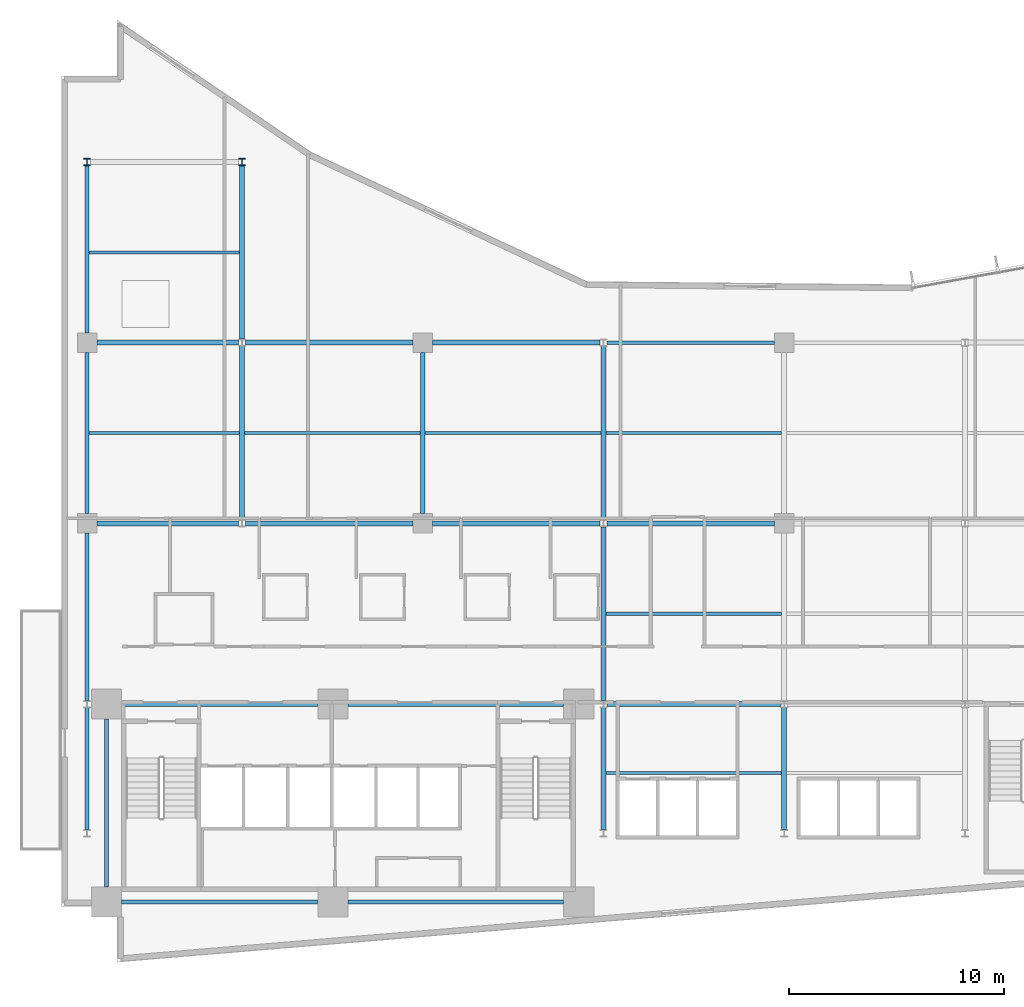
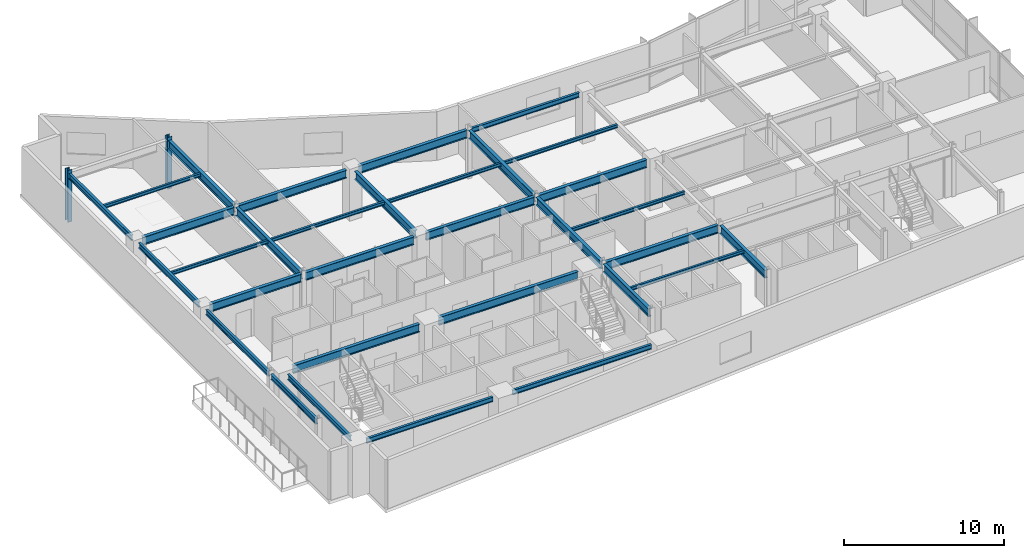
# One storey, part 3 of 21: 32 beams, 2 columns.
"""IFC4 building model written with IfcOpenShell, lengths in metres."""

from ifc_helpers import new_model, si_unit, direction, frame, origin, origin_2d, place, context, subcontext, project, spatial, i_section, extrude, material, material_profile, profile_set, type_object, element, save


model = new_model("IFC4")

# Units and contexts
model_context = context("Model", 3, precision=1e-05, world=origin(), true_north=direction((0.0, 1.0)))
body_context = subcontext(model_context, "Body", "Model", "MODEL_VIEW")
ifc_project = project(units=[si_unit("LENGTHUNIT", "METRE"), si_unit("AREAUNIT", "SQUARE_METRE"), si_unit("VOLUMEUNIT", "CUBIC_METRE"), si_unit("PLANEANGLEUNIT", "RADIAN"), si_unit("MASSUNIT", "GRAM", prefix="KILO")], contexts=[model_context])

# Site, building, storey
site_placement = place(None, origin())
site = spatial("IfcSite", under=ifc_project, at=site_placement, CompositionType="ELEMENT")
building_placement = place(site_placement, origin())
building = spatial("IfcBuilding", under=site, at=building_placement, Name="Varnakote Quay Hospital", CompositionType="ELEMENT")
storey_placement = place(building_placement, frame((0.0, 0.0, 77.800048828125)))
storey = spatial("IfcBuildingStorey", under=building, at=storey_placement, Name="L19", CompositionType="ELEMENT", Elevation=77.800048828125)

# Columns
ifc_material_1 = material(Name="Structural steel AS/NZS 3679.1 Grade 350 L0 (fy 340 MPa)", Category="steel")
ifc_material_profile_1 = material_profile(ifc_material_1, i_section(OverallWidth=0.31103515625, OverallDepth=0.326904296875, WebThickness=0.015625, FlangeThickness=0.02490234375, FilletRadius=0.0166015625, at=origin_2d()), Name="310UC158")
ifc_profile_set_1 = profile_set([ifc_material_profile_1], Name="Structural steel AS/NZS 3679.1 Grade 350 L0 (fy 340 MPa)")
column_type = type_object("IfcColumnType", Name="COL-STL-310UC158", PredefinedType="COLUMN", material=ifc_profile_set_1)
for number, where, z_axis, x_axis, name in (
    (1, (1.199951171875, 37.199951171875, 0.0), (0.0, 0.0, 1.0), (1.0, 0.0, 0.0), "L19 Structural Column C-1-37"),
    (2, (8.39990234375, 37.199951171875, 0.0), (0.0, 0.0, 1.0), (1.0, 0.0, 0.0), "L19 Structural Column C-8-37"),
):
    element("IfcColumn", number, at=place(storey_placement, frame(where, z_axis=z_axis, x_axis=x_axis)), inside=storey, type_object=column_type, Name=name, PredefinedType="COLUMN", context=body_context, shape_type="SweptSolid", body=[
        extrude(i_section(OverallWidth=0.31103515625, OverallDepth=0.326904296875, WebThickness=0.015625, FlangeThickness=0.02490234375, FilletRadius=0.0166015625, at=origin_2d()), origin(), (0.0, 0.0, 1.0), 3.949951171875),
    ])

# Beams
ifc_material_2 = material(Name="Structural steel AS/NZS 3679.1 Grade 350 L0 (fy 340 MPa)", Category="steel")
ifc_material_profile_2 = material_profile(ifc_material_2, i_section(OverallWidth=0.22900390625, OverallDepth=0.612060546875, WebThickness=0.011962890625, FlangeThickness=0.01953125, FilletRadius=0.013916015625, at=origin_2d()), Name="610UB125")
ifc_profile_set_2 = profile_set([ifc_material_profile_2], Name="Structural steel AS/NZS 3679.1 Grade 350 L0 (fy 340 MPa)")
beam_type_1 = type_object("IfcBeamType", Name="BM-STL-610UB125", PredefinedType="BEAM", material=ifc_profile_set_2)
beam_1_placement = place(storey_placement, frame((2.800048828125, 12.0, 3.404052734375), z_axis=(1.0, 0.0, 0.0), x_axis=(0.0, 1.0, 0.0)))
element("IfcBeam", 3, at=beam_1_placement, inside=storey, type_object=beam_type_1, Name="L19 Primary Floor Beam", PredefinedType="BEAM", context=body_context, shape_type="SweptSolid", body=[
    extrude(i_section(OverallWidth=0.22900390625, OverallDepth=0.612060546875, WebThickness=0.011962890625, FlangeThickness=0.01953125, FilletRadius=0.013916015625, at=origin_2d()), origin(), (0.0, 0.0, 1.0), 9.119873046875),
])
beam_2_placement = place(storey_placement, frame((13.320068359375, 12.0, 3.404052734375), z_axis=(1.0, 0.0, 0.0), x_axis=(0.0, 1.0, 0.0)))
element("IfcBeam", 4, at=beam_2_placement, inside=storey, type_object=beam_type_1, Name="L19 Primary Floor Beam", PredefinedType="BEAM", context=body_context, shape_type="SweptSolid", body=[
    extrude(i_section(OverallWidth=0.22900390625, OverallDepth=0.612060546875, WebThickness=0.011962890625, FlangeThickness=0.01953125, FilletRadius=0.013916015625, at=origin_2d()), origin(), (0.0, 0.0, 1.0), 10.030029296875),
])
beam_3_placement = place(storey_placement, frame((25.35546875, 12.0, 3.404052734375), z_axis=(1.0, 0.0, 0.0), x_axis=(0.0, 1.0, 0.0)))
element("IfcBeam", 5, at=beam_3_placement, inside=storey, type_object=beam_type_1, Name="L19 Primary Floor Beam", PredefinedType="BEAM", context=body_context, shape_type="SweptSolid", body=[
    extrude(i_section(OverallWidth=0.22900390625, OverallDepth=0.612060546875, WebThickness=0.011962890625, FlangeThickness=0.01953125, FilletRadius=0.013916015625, at=origin_2d()), origin(), (0.0, 0.0, 1.0), 8.089111328125),
])
beam_4_placement = place(storey_placement, frame((1.64990234375, 20.39990234375, 3.404052734375), z_axis=(1.0, 0.0, 0.0), x_axis=(0.0, 1.0, 0.0)))
element("IfcBeam", 6, at=beam_4_placement, inside=storey, type_object=beam_type_1, Name="L19 Primary Floor Beam", PredefinedType="BEAM", context=body_context, shape_type="SweptSolid", body=[
    extrude(i_section(OverallWidth=0.22900390625, OverallDepth=0.612060546875, WebThickness=0.011962890625, FlangeThickness=0.01953125, FilletRadius=0.013916015625, at=origin_2d()), origin(), (0.0, 0.0, 1.0), 6.594482421875),
])
beam_5_placement = place(storey_placement, frame((8.555419921875, 20.39990234375, 3.404052734375), z_axis=(1.0, 0.0, 0.0), x_axis=(0.0, 1.0, 0.0)))
element("IfcBeam", 7, at=beam_5_placement, inside=storey, type_object=beam_type_1, Name="L19 Primary Floor Beam", PredefinedType="BEAM", context=body_context, shape_type="SweptSolid", body=[
    extrude(i_section(OverallWidth=0.22900390625, OverallDepth=0.612060546875, WebThickness=0.011962890625, FlangeThickness=0.01953125, FilletRadius=0.013916015625, at=origin_2d()), origin(), (0.0, 0.0, 1.0), 7.794677734375),
])
for number, where, z_axis, x_axis, name in (
    (8, (17.25, 20.39990234375, 3.404052734375), (1.0, 0.0, 0.0), (0.0, 1.0, 0.0), "L19 Primary Floor Beam"),
    (9, (25.35546875, 20.39990234375, 3.404052734375), (1.0, 0.0, 0.0), (0.0, 1.0, 0.0), "L19 Primary Floor Beam"),
):
    element("IfcBeam", number, at=place(storey_placement, frame(where, z_axis=z_axis, x_axis=x_axis)), inside=storey, type_object=beam_type_1, Name=name, PredefinedType="BEAM", context=body_context, shape_type="SweptSolid", body=[
        extrude(i_section(OverallWidth=0.22900390625, OverallDepth=0.612060546875, WebThickness=0.011962890625, FlangeThickness=0.01953125, FilletRadius=0.013916015625, at=origin_2d()), origin(), (0.0, 0.0, 1.0), 7.79443359375),
    ])
beam_6_placement = place(storey_placement, frame((1.64990234375, 28.800048828125, 3.404052734375), z_axis=(1.0, 0.0, 0.0), x_axis=(0.0, 1.0, 0.0)))
element("IfcBeam", 10, at=beam_6_placement, inside=storey, type_object=beam_type_1, Name="L19 Primary Floor Beam", PredefinedType="BEAM", context=body_context, shape_type="SweptSolid", body=[
    extrude(i_section(OverallWidth=0.22900390625, OverallDepth=0.612060546875, WebThickness=0.011962890625, FlangeThickness=0.01953125, FilletRadius=0.013916015625, at=origin_2d()), origin(), (0.0, 0.0, 1.0), 6.594482421875),
])
beam_7_placement = place(storey_placement, frame((8.555419921875, 28.800048828125, 3.404052734375), z_axis=(1.0, 0.0, 0.0), x_axis=(0.0, 1.0, 0.0)))
element("IfcBeam", 11, at=beam_7_placement, inside=storey, type_object=beam_type_1, Name="L19 Primary Floor Beam", PredefinedType="BEAM", context=body_context, shape_type="SweptSolid", body=[
    extrude(i_section(OverallWidth=0.22900390625, OverallDepth=0.612060546875, WebThickness=0.011962890625, FlangeThickness=0.01953125, FilletRadius=0.013916015625, at=origin_2d()), origin(), (0.0, 0.0, 1.0), 7.794677734375),
])
beam_8_placement = place(storey_placement, frame((17.25, 28.800048828125, 3.404052734375), z_axis=(1.0, 0.0, 0.0), x_axis=(0.0, 1.0, 0.0)))
element("IfcBeam", 12, at=beam_8_placement, inside=storey, type_object=beam_type_1, Name="L19 Primary Floor Beam", PredefinedType="BEAM", context=body_context, shape_type="SweptSolid", body=[
    extrude(i_section(OverallWidth=0.22900390625, OverallDepth=0.612060546875, WebThickness=0.011962890625, FlangeThickness=0.01953125, FilletRadius=0.013916015625, at=origin_2d()), origin(), (0.0, 0.0, 1.0), 7.79443359375),
])
beam_9_placement = place(storey_placement, frame((8.39990234375, 20.5634765625, 3.404052734375), z_axis=(0.0, 1.0, 0.0), x_axis=(-1.0, 0.0, 0.0)))
element("IfcBeam", 13, at=beam_9_placement, inside=storey, type_object=beam_type_1, Name="L19 Primary Tie Beam", PredefinedType="BEAM", context=body_context, shape_type="SweptSolid", body=[
    extrude(i_section(OverallWidth=0.22900390625, OverallDepth=0.612060546875, WebThickness=0.011962890625, FlangeThickness=0.01953125, FilletRadius=0.013916015625, at=origin_2d()), origin(), (0.0, 0.0, 1.0), 8.072998046875),
])
beam_10_placement = place(storey_placement, frame((8.39990234375, 28.96337890625, 3.404052734375), z_axis=(0.0, 1.0, 0.0), x_axis=(-1.0, 0.0, 0.0)))
element("IfcBeam", 14, at=beam_10_placement, inside=storey, type_object=beam_type_1, Name="L19 Primary Tie Beam", PredefinedType="BEAM", context=body_context, shape_type="SweptSolid", body=[
    extrude(i_section(OverallWidth=0.22900390625, OverallDepth=0.612060546875, WebThickness=0.011962890625, FlangeThickness=0.01953125, FilletRadius=0.013916015625, at=origin_2d()), origin(), (0.0, 0.0, 1.0), 8.0732421875),
])
beam_11_placement = place(storey_placement, frame((16.800048828125, 20.85009765625, 3.404052734375), z_axis=(0.0, 1.0, 0.0), x_axis=(-1.0, 0.0, 0.0)))
element("IfcBeam", 15, at=beam_11_placement, inside=storey, type_object=beam_type_1, Name="L19 Primary Tie Beam", PredefinedType="BEAM", context=body_context, shape_type="SweptSolid", body=[
    extrude(i_section(OverallWidth=0.22900390625, OverallDepth=0.612060546875, WebThickness=0.011962890625, FlangeThickness=0.01953125, FilletRadius=0.013916015625, at=origin_2d()), origin(), (0.0, 0.0, 1.0), 7.5),
])
beam_12_placement = place(storey_placement, frame((25.199951171875, 6.16357421875, 3.404052734375), z_axis=(0.0, 1.0, 0.0), x_axis=(-1.0, 0.0, 0.0)))
element("IfcBeam", 16, at=beam_12_placement, inside=storey, type_object=beam_type_1, Name="L19 Primary Tie Beam", PredefinedType="BEAM", context=body_context, shape_type="SweptSolid", body=[
    extrude(i_section(OverallWidth=0.22900390625, OverallDepth=0.612060546875, WebThickness=0.011962890625, FlangeThickness=0.01953125, FilletRadius=0.013916015625, at=origin_2d()), origin(), (0.0, 0.0, 1.0), 5.6728515625),
])
for number, where, z_axis, x_axis, name in (
    (17, (25.199951171875, 12.16357421875, 3.404052734375), (0.0, 1.0, 0.0), (-1.0, 0.0, 0.0), "L19 Primary Tie Beam"),
    (18, (25.199951171875, 20.5634765625, 3.404052734375), (0.0, 1.0, 0.0), (-1.0, 0.0, 0.0), "L19 Primary Tie Beam"),
):
    element("IfcBeam", number, at=place(storey_placement, frame(where, z_axis=z_axis, x_axis=x_axis)), inside=storey, type_object=beam_type_1, Name=name, PredefinedType="BEAM", context=body_context, shape_type="SweptSolid", body=[
        extrude(i_section(OverallWidth=0.22900390625, OverallDepth=0.612060546875, WebThickness=0.011962890625, FlangeThickness=0.01953125, FilletRadius=0.013916015625, at=origin_2d()), origin(), (0.0, 0.0, 1.0), 8.072998046875),
    ])
beam_13_placement = place(storey_placement, frame((33.60009765625, 6.16357421875, 3.404052734375), z_axis=(0.0, 1.0, 0.0), x_axis=(-1.0, 0.0, 0.0)))
element("IfcBeam", 19, at=beam_13_placement, inside=storey, type_object=beam_type_1, Name="L19 Primary Tie Beam", PredefinedType="BEAM", context=body_context, shape_type="SweptSolid", body=[
    extrude(i_section(OverallWidth=0.22900390625, OverallDepth=0.612060546875, WebThickness=0.011962890625, FlangeThickness=0.01953125, FilletRadius=0.013916015625, at=origin_2d()), origin(), (0.0, 0.0, 1.0), 5.6728515625),
])
ifc_material_3 = material(Name="Structural steel AS/NZS 3679.1 Grade 350 L0 (fy 340 MPa)", Category="steel")
ifc_material_profile_3 = material_profile(ifc_material_3, i_section(OverallWidth=0.14599609375, OverallDepth=0.256103515625, WebThickness=0.00634765625, FlangeThickness=0.010986328125, FilletRadius=0.0087890625, at=origin_2d()), Name="250UB37.3")
ifc_profile_set_3 = profile_set([ifc_material_profile_3], Name="Structural steel AS/NZS 3679.1 Grade 350 L0 (fy 340 MPa)")
beam_type_2 = type_object("IfcBeamType", Name="JST-STL-250UB37-3", PredefinedType="JOIST", material=ifc_profile_set_3)
for number, where, z_axis, x_axis, name in (
    (20, (25.314453125, 8.800048828125, 3.58203125), (1.0, 0.0, 0.0), (0.0, 1.0, 0.0), "L19 Composite Floor Joist"),
    (21, (25.314453125, 16.199951171875, 3.58203125), (1.0, 0.0, 0.0), (0.0, 1.0, 0.0), "L19 Composite Floor Joist"),
):
    element("IfcBeam", number, at=place(storey_placement, frame(where, z_axis=z_axis, x_axis=x_axis)), inside=storey, type_object=beam_type_2, Name=name, PredefinedType="JOIST", context=body_context, shape_type="SweptSolid", body=[
        extrude(i_section(OverallWidth=0.14599609375, OverallDepth=0.256103515625, WebThickness=0.00634765625, FlangeThickness=0.010986328125, FilletRadius=0.0087890625, at=origin_2d()), origin(), (0.0, 0.0, 1.0), 8.171142578125),
    ])
beam_14_placement = place(storey_placement, frame((1.2890625, 24.60009765625, 3.58203125), z_axis=(1.0, 0.0, 0.0), x_axis=(0.0, 1.0, 0.0)))
element("IfcBeam", 22, at=beam_14_placement, inside=storey, type_object=beam_type_2, Name="L19 Composite Floor Joist", PredefinedType="JOIST", context=body_context, shape_type="SweptSolid", body=[
    extrude(i_section(OverallWidth=0.14599609375, OverallDepth=0.256103515625, WebThickness=0.00634765625, FlangeThickness=0.010986328125, FilletRadius=0.0087890625, at=origin_2d()), origin(), (0.0, 0.0, 1.0), 6.996337890625),
])
beam_15_placement = place(storey_placement, frame((8.514404296875, 24.60009765625, 3.58203125), z_axis=(1.0, 0.0, 0.0), x_axis=(0.0, 1.0, 0.0)))
element("IfcBeam", 23, at=beam_15_placement, inside=storey, type_object=beam_type_2, Name="L19 Composite Floor Joist", PredefinedType="JOIST", context=body_context, shape_type="SweptSolid", body=[
    extrude(i_section(OverallWidth=0.14599609375, OverallDepth=0.256103515625, WebThickness=0.00634765625, FlangeThickness=0.010986328125, FilletRadius=0.0087890625, at=origin_2d()), origin(), (0.0, 0.0, 1.0), 8.171142578125),
])
beam_16_placement = place(storey_placement, frame((16.91455078125, 24.60009765625, 3.58203125), z_axis=(1.0, 0.0, 0.0), x_axis=(0.0, 1.0, 0.0)))
element("IfcBeam", 24, at=beam_16_placement, inside=storey, type_object=beam_type_2, Name="L19 Composite Floor Joist", PredefinedType="JOIST", context=body_context, shape_type="SweptSolid", body=[
    extrude(i_section(OverallWidth=0.14599609375, OverallDepth=0.256103515625, WebThickness=0.00634765625, FlangeThickness=0.010986328125, FilletRadius=0.0087890625, at=origin_2d()), origin(), (0.0, 0.0, 1.0), 8.1708984375),
])
beam_17_placement = place(storey_placement, frame((25.314453125, 24.60009765625, 3.58203125), z_axis=(1.0, 0.0, 0.0), x_axis=(0.0, 1.0, 0.0)))
element("IfcBeam", 25, at=beam_17_placement, inside=storey, type_object=beam_type_2, Name="L19 Composite Floor Joist", PredefinedType="JOIST", context=body_context, shape_type="SweptSolid", body=[
    extrude(i_section(OverallWidth=0.14599609375, OverallDepth=0.256103515625, WebThickness=0.00634765625, FlangeThickness=0.010986328125, FilletRadius=0.0087890625, at=origin_2d()), origin(), (0.0, 0.0, 1.0), 8.171142578125),
])
beam_18_placement = place(storey_placement, frame((1.2890625, 33.0, 3.58203125), z_axis=(1.0, 0.0, 0.0), x_axis=(0.0, 1.0, 0.0)))
element("IfcBeam", 26, at=beam_18_placement, inside=storey, type_object=beam_type_2, Name="L19 Composite Floor Joist", PredefinedType="JOIST", context=body_context, shape_type="SweptSolid", body=[
    extrude(i_section(OverallWidth=0.14599609375, OverallDepth=0.256103515625, WebThickness=0.00634765625, FlangeThickness=0.010986328125, FilletRadius=0.0087890625, at=origin_2d()), origin(), (0.0, 0.0, 1.0), 6.996337890625),
])
ifc_material_4 = material(Name="Structural steel AS/NZS 3679.1 Grade 350 L0 (fy 340 MPa)", Category="steel")
ifc_material_profile_4 = material_profile(ifc_material_4, i_section(OverallWidth=0.172119140625, OverallDepth=0.35888671875, WebThickness=0.008056640625, FlangeThickness=0.012939453125, FilletRadius=0.011474609375, at=origin_2d()), Name="360UB56.7")
ifc_profile_set_4 = profile_set([ifc_material_profile_4], Name="Structural steel AS/NZS 3679.1 Grade 350 L0 (fy 340 MPa)")
beam_type_3 = type_object("IfcBeamType", Name="SPN-STL-360UB56-7", PredefinedType="SPANDREL", material=ifc_profile_set_4)
beam_19_placement = place(storey_placement, frame((2.800048828125, 2.800048828125, 3.530517578125), z_axis=(1.0, 0.0, 0.0), x_axis=(0.0, 1.0, 0.0)))
element("IfcBeam", 27, at=beam_19_placement, inside=storey, type_object=beam_type_3, Name="L19 Perimeter Spandrel Beam", PredefinedType="SPANDREL", context=body_context, shape_type="SweptSolid", body=[
    extrude(i_section(OverallWidth=0.172119140625, OverallDepth=0.35888671875, WebThickness=0.008056640625, FlangeThickness=0.012939453125, FilletRadius=0.011474609375, at=origin_2d()), origin(), (0.0, 0.0, 1.0), 9.119873046875),
])
beam_20_placement = place(storey_placement, frame((13.320068359375, 2.800048828125, 3.530517578125), z_axis=(1.0, 0.0, 0.0), x_axis=(0.0, 1.0, 0.0)))
element("IfcBeam", 28, at=beam_20_placement, inside=storey, type_object=beam_type_3, Name="L19 Perimeter Spandrel Beam", PredefinedType="SPANDREL", context=body_context, shape_type="SweptSolid", body=[
    extrude(i_section(OverallWidth=0.172119140625, OverallDepth=0.35888671875, WebThickness=0.008056640625, FlangeThickness=0.012939453125, FilletRadius=0.011474609375, at=origin_2d()), origin(), (0.0, 0.0, 1.0), 10.030029296875),
])
beam_21_placement = place(storey_placement, frame((25.35546875, 28.800048828125, 3.530517578125), z_axis=(1.0, 0.0, 0.0), x_axis=(0.0, 1.0, 0.0)))
element("IfcBeam", 29, at=beam_21_placement, inside=storey, type_object=beam_type_3, Name="L19 Perimeter Spandrel Beam", PredefinedType="SPANDREL", context=body_context, shape_type="SweptSolid", body=[
    extrude(i_section(OverallWidth=0.172119140625, OverallDepth=0.35888671875, WebThickness=0.008056640625, FlangeThickness=0.012939453125, FilletRadius=0.011474609375, at=origin_2d()), origin(), (0.0, 0.0, 1.0), 7.79443359375),
])
ifc_material_5 = material(Name="Structural steel AS/NZS 3679.1 Grade 350 L0 (fy 340 MPa)", Category="steel")
ifc_material_profile_5 = material_profile(ifc_material_5, i_section(OverallWidth=0.177978515625, OverallDepth=0.403076171875, WebThickness=0.007568359375, FlangeThickness=0.010986328125, FilletRadius=0.011474609375, at=origin_2d()), Name="410UB53.7")
ifc_profile_set_5 = profile_set([ifc_material_profile_5], Name="Structural steel AS/NZS 3679.1 Grade 350 L0 (fy 340 MPa)")
beam_type_4 = type_object("IfcBeamType", Name="SPN-STL-410UB53-7", PredefinedType="SPANDREL", material=ifc_profile_set_5)
beam_22_placement = place(storey_placement, frame((1.199951171875, 6.16357421875, 3.508544921875), z_axis=(0.0, 1.0, 0.0), x_axis=(-1.0, 0.0, 0.0)))
element("IfcBeam", 30, at=beam_22_placement, inside=storey, type_object=beam_type_4, Name="L19 Perimeter Spandrel Beam", PredefinedType="SPANDREL", context=body_context, shape_type="SweptSolid", body=[
    extrude(i_section(OverallWidth=0.177978515625, OverallDepth=0.403076171875, WebThickness=0.007568359375, FlangeThickness=0.010986328125, FilletRadius=0.011474609375, at=origin_2d()), origin(), (0.0, 0.0, 1.0), 5.6728515625),
])
beam_23_placement = place(storey_placement, frame((1.199951171875, 12.16357421875, 3.508544921875), z_axis=(0.0, 1.0, 0.0), x_axis=(-1.0, 0.0, 0.0)))
element("IfcBeam", 31, at=beam_23_placement, inside=storey, type_object=beam_type_4, Name="L19 Perimeter Spandrel Beam", PredefinedType="SPANDREL", context=body_context, shape_type="SweptSolid", body=[
    extrude(i_section(OverallWidth=0.177978515625, OverallDepth=0.403076171875, WebThickness=0.007568359375, FlangeThickness=0.010986328125, FilletRadius=0.011474609375, at=origin_2d()), origin(), (0.0, 0.0, 1.0), 7.786376953125),
])
beam_24_placement = place(storey_placement, frame((1.199951171875, 20.85009765625, 3.508544921875), z_axis=(0.0, 1.0, 0.0), x_axis=(-1.0, 0.0, 0.0)))
element("IfcBeam", 32, at=beam_24_placement, inside=storey, type_object=beam_type_4, Name="L19 Perimeter Spandrel Beam", PredefinedType="SPANDREL", context=body_context, shape_type="SweptSolid", body=[
    extrude(i_section(OverallWidth=0.177978515625, OverallDepth=0.403076171875, WebThickness=0.007568359375, FlangeThickness=0.010986328125, FilletRadius=0.011474609375, at=origin_2d()), origin(), (0.0, 0.0, 1.0), 7.5),
])
beam_25_placement = place(storey_placement, frame((1.199951171875, 29.25, 3.508544921875), z_axis=(0.0, 1.0, 0.0), x_axis=(-1.0, 0.0, 0.0)))
element("IfcBeam", 33, at=beam_25_placement, inside=storey, type_object=beam_type_4, Name="L19 Perimeter Spandrel Beam", PredefinedType="SPANDREL", context=body_context, shape_type="SweptSolid", body=[
    extrude(i_section(OverallWidth=0.177978515625, OverallDepth=0.403076171875, WebThickness=0.007568359375, FlangeThickness=0.010986328125, FilletRadius=0.011474609375, at=origin_2d()), origin(), (0.0, 0.0, 1.0), 7.78662109375),
])
beam_26_placement = place(storey_placement, frame((2.10009765625, 3.5, 3.508544921875), z_axis=(0.0, 1.0, 0.0), x_axis=(-1.0, 0.0, 0.0)))
element("IfcBeam", 34, at=beam_26_placement, inside=storey, type_object=beam_type_4, Name="L19 Perimeter Spandrel Beam", PredefinedType="SPANDREL", context=body_context, shape_type="SweptSolid", body=[
    extrude(i_section(OverallWidth=0.177978515625, OverallDepth=0.403076171875, WebThickness=0.007568359375, FlangeThickness=0.010986328125, FilletRadius=0.011474609375, at=origin_2d()), origin(), (0.0, 0.0, 1.0), 7.800048828125),
])

save(model, "model.ifc")
